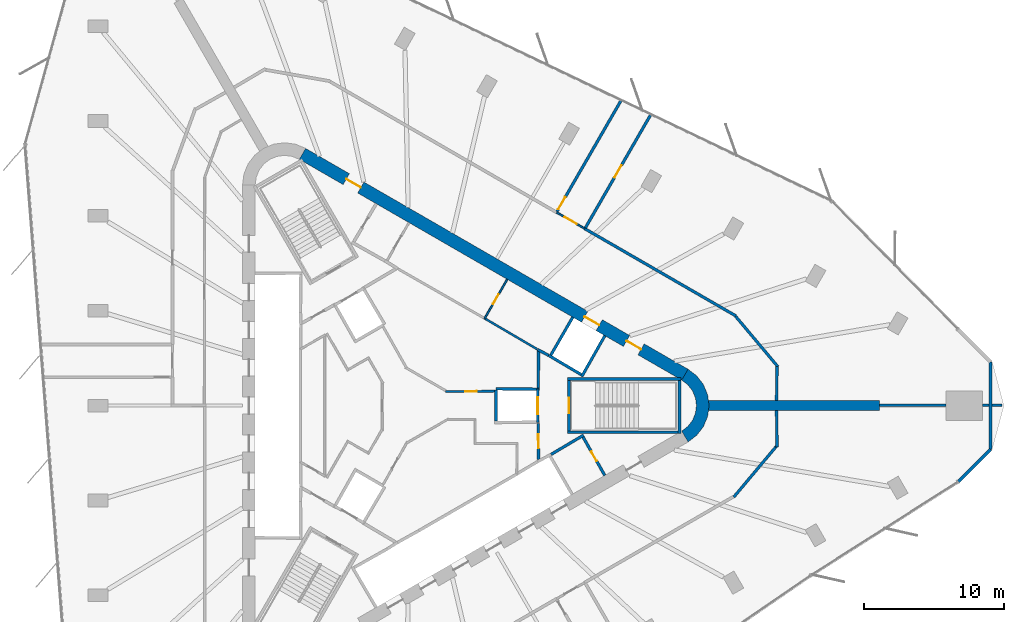
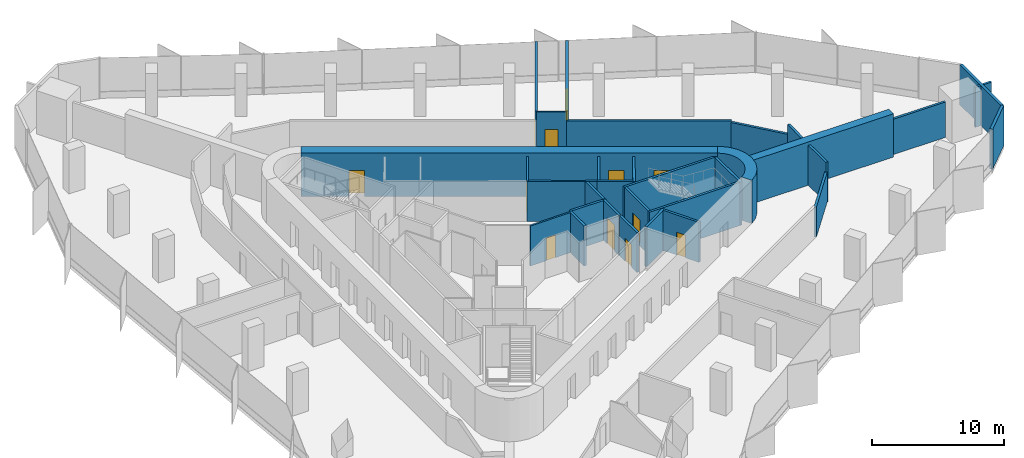
# One storey, part 11 of 13: 34 walls, 12 doors, 12 openings.
"""IFC4 building model written with IfcOpenShell, lengths in metres."""

from ifc_helpers import new_model, si_unit, direction, frame, frame_2d, origin, place, context, subcontext, project, spatial, polyline, rectangle, outline, extrude, material, layer, layer_set, type_object, element, fill, save


model = new_model("IFC4")

# Units and contexts
model_context = context("Model", 3, precision=1e-05, world=origin(), true_north=direction((0.0, 1.0)))
body_context = subcontext(model_context, "Body", "Model", "MODEL_VIEW")
ifc_project = project(units=[si_unit("LENGTHUNIT", "METRE"), si_unit("AREAUNIT", "SQUARE_METRE"), si_unit("VOLUMEUNIT", "CUBIC_METRE"), si_unit("PLANEANGLEUNIT", "RADIAN"), si_unit("MASSUNIT", "GRAM", prefix="KILO")], contexts=[model_context])

# Site, building, storey
site_placement = place(None, origin())
site = spatial("IfcSite", under=ifc_project, at=site_placement, CompositionType="ELEMENT")
building_placement = place(site_placement, origin())
building = spatial("IfcBuilding", under=site, at=building_placement, Name="Tanit Gate Tower", CompositionType="ELEMENT")
storey_placement = place(building_placement, frame((0.0, 0.0, 189.199951171875)))
storey = spatial("IfcBuildingStorey", under=building, at=storey_placement, Name="L41", CompositionType="ELEMENT", Elevation=189.199951171875)

# Wall
ifc_material_1 = material(Name="Concrete C50/60", Category="concrete")
ifc_layer_1 = layer(ifc_material_1, 0.699951171875)
ifc_layer_set_1 = layer_set([ifc_layer_1], Name="BUTTRESS FIN 700 C50/60")
wall_type_1 = type_object("IfcWallType", Name="BUTTRESS FIN 700 C50/60", PredefinedType="SHEAR", material=ifc_layer_set_1)
wall_1_placement = place(storey_placement, frame((21.14990234375, 0.0, 0.0), z_axis=(0.0, 0.0, 1.0), x_axis=(1.0, 0.0, 0.0)))
element("IfcWall", 1, at=wall_1_placement, inside=storey, type_object=wall_type_1, Name="BUTTRESS FIN", PredefinedType="SHEAR", context=body_context, shape_type="SweptSolid", body=[
    extrude(rectangle(XDim=12.2197265625, YDim=0.699951171875, at=frame_2d((6.10986328125, 0.0))), origin(), (0.0, 0.0, 1.0), 4.0),
])

# Wall, openings, doors
ifc_material_2 = material(Name="Concrete C50/60", Category="concrete")
ifc_layer_2 = layer(ifc_material_2, 0.89990234375)
ifc_layer_set_2 = layer_set([ifc_layer_2], Name="CORE WALL 900 C50/60")
wall_type_2 = type_object("IfcWallType", Name="CORE WALL 900 C50/60", PredefinedType="SHEAR", material=ifc_layer_set_2)
wall_2_placement = place(storey_placement, frame((19.47509765625, 2.20849609375, 0.0), z_axis=(0.0, 0.0, 1.0), x_axis=(-0.866028369851, 0.499994862586, 0.0)))
wall_2 = element("IfcWall", 2, at=wall_2_placement, inside=storey, type_object=wall_type_2, Name="CORE WALL", PredefinedType="SHEAR", context=body_context, shape_type="SweptSolid", body=[
    extrude(rectangle(XDim=31.523193359375, YDim=0.89990234375, at=frame_2d((15.76171875, 0.0))), origin(), (0.0, 0.0, 1.0), 4.0),
])
opening_1_placement = place(wall_2_placement, frame((7.0615234375, 0.0, 0.0)))
opening_1 = element("IfcOpeningElement", 3, at=opening_1_placement, cuts=wall_2, Name="Opening LDML8-S10", PredefinedType="OPENING", context=body_context, shape_type="SweptSolid", body=[
    extrude(rectangle(XDim=1.199951171875, YDim=2.39990234375, at=frame_2d((0.60009765625, 1.199951171875))), frame((0.0, 0.4599609375, 0.0), z_axis=(0.0, -1.0, 0.0), x_axis=(1.0, 0.0, 0.0)), (0.0, 0.0, 1.0), 0.919921875),
])
opening_2_placement = place(wall_2_placement, frame((3.611572265625, 0.0, 0.0)))
opening_2 = element("IfcOpeningElement", 4, at=opening_2_placement, cuts=wall_2, Name="Opening F12-S10-FL1", PredefinedType="OPENING", context=body_context, shape_type="SweptSolid", body=[
    extrude(rectangle(XDim=1.199951171875, YDim=2.39990234375, at=frame_2d((0.60009765625, 1.199951171875))), frame((0.0, 0.4599609375, 0.0), z_axis=(0.0, -1.0, 0.0), x_axis=(1.0, 0.0, 0.0)), (0.0, 0.0, 1.0), 0.919921875),
])
opening_3_placement = place(wall_2_placement, frame((26.711669921875, 0.0, 0.0)))
opening_3 = element("IfcOpeningElement", 5, at=opening_3_placement, cuts=wall_2, Name="Opening F12-S10-S2", PredefinedType="OPENING", context=body_context, shape_type="SweptSolid", body=[
    extrude(rectangle(XDim=1.199951171875, YDim=2.39990234375, at=frame_2d((0.60009765625, 1.199951171875))), frame((0.0, 0.4599609375, 0.0), z_axis=(0.0, -1.0, 0.0), x_axis=(1.0, 0.0, 0.0)), (0.0, 0.0, 1.0), 0.919921875),
])
ifc_material_3 = material(Name="Fire-rated steel door leaf", Category="steel")
door_type_1 = type_object("IfcDoorType", Name="INT-DOOR-FIRE-LOBBY-1200", OperationType="NOTDEFINED", PredefinedType="USERDEFINED", material=ifc_material_3)
door_1_placement = place(opening_2_placement, origin())
door_1 = element("IfcDoor", 6, at=door_1_placement, inside=storey, type_object=door_type_1, Name="Door F12-S10-FL1", ObjectType="FIRE DOOR", OperationType="SINGLE_SWING_RIGHT", OverallHeight=2.39990234375, OverallWidth=1.199951171875, PredefinedType="USERDEFINED", context=body_context, shape_type="SweptSolid", body=[
    extrude(rectangle(XDim=1.199951171875, YDim=2.39990234375, at=frame_2d((0.60009765625, 1.199951171875))), frame((0.0, 0.02490234375, 0.0), z_axis=(0.0, -1.0, 0.0), x_axis=(1.0, 0.0, 0.0)), (0.0, 0.0, 1.0), 0.050048828125),
])
fill(opening_2, door_1)
door_2_placement = place(opening_3_placement, origin())
door_2 = element("IfcDoor", 7, at=door_2_placement, inside=storey, type_object=door_type_1, Name="Door F12-S10-S2", ObjectType="FIRE DOOR", OperationType="SINGLE_SWING_RIGHT", OverallHeight=2.39990234375, OverallWidth=1.199951171875, PredefinedType="USERDEFINED", context=body_context, shape_type="SweptSolid", body=[
    extrude(rectangle(XDim=1.199951171875, YDim=2.39990234375, at=frame_2d((0.60009765625, 1.199951171875))), frame((0.0, 0.02490234375, 0.0), z_axis=(0.0, -1.0, 0.0), x_axis=(1.0, 0.0, 0.0)), (0.0, 0.0, 1.0), 0.050048828125),
])
fill(opening_3, door_2)
ifc_material_4 = material(Name="Stainless steel sliding door leaf", Category="steel")
door_type_2 = type_object("IfcDoorType", Name="INT-DOOR-LANDING-1200", OperationType="NOTDEFINED", PredefinedType="USERDEFINED", material=ifc_material_4)
door_3_placement = place(opening_1_placement, origin())
door_3 = element("IfcDoor", 8, at=door_3_placement, inside=storey, type_object=door_type_2, Name="Door LDML8-S10", ObjectType="LANDING DOOR", OperationType="SLIDING_TO_LEFT", OverallHeight=2.39990234375, OverallWidth=1.199951171875, PredefinedType="USERDEFINED", context=body_context, shape_type="SweptSolid", body=[
    extrude(rectangle(XDim=1.199951171875, YDim=2.39990234375, at=frame_2d((0.60009765625, 1.199951171875))), frame((0.0, 0.02490234375, 0.0), z_axis=(0.0, -1.0, 0.0), x_axis=(1.0, 0.0, 0.0)), (0.0, 0.0, 1.0), 0.050048828125),
])
fill(opening_1, door_3)

# Walls
wall_3_placement = place(storey_placement, origin())
element("IfcWall", 9, at=wall_3_placement, inside=storey, type_object=wall_type_2, Name="CORE WALL CORNER", PredefinedType="SHEAR", context=body_context, shape_type="SweptSolid", body=[
    extrude(outline(polyline([(19.699951171875, -2.59814453125), (20.3212890625, -2.121337890625), (20.798095703125, -1.5), (21.097900390625, -0.776611328125), (21.199951171875, 0.0), (21.097900390625, 0.776611328125), (20.798095703125, 1.5), (20.3212890625, 2.121337890625), (19.699951171875, 2.59814453125), (19.25, 1.818603515625), (19.684814453125, 1.48486328125), (20.018798828125, 1.050048828125), (20.228515625, 0.54345703125), (20.300048828125, 0.0), (20.228515625, -0.54345703125), (20.018798828125, -1.050048828125), (19.684814453125, -1.48486328125), (19.25, -1.818603515625), (19.699951171875, -2.59814453125)])), origin(), (0.0, 0.0, 1.0), 4.0),
])
ifc_material_5 = material(Name="Concrete C30/37 with bronze anodised aluminium cladding", Category="concrete")
ifc_layer_3 = layer(ifc_material_5, 0.239990234375)
ifc_layer_set_3 = layer_set([ifc_layer_3], Name="Facade wall bronze clad 240")
wall_type_3 = type_object("IfcWallType", Name="Facade wall bronze clad 240", PredefinedType="SOLIDWALL", material=ifc_layer_set_3)
wall_4_placement = place(storey_placement, frame((38.98828125, -5.428466796875, 0.0), z_axis=(0.0, 0.0, 1.0), x_axis=(0.707144274587, 0.707069285798, 0.0)))
element("IfcWall", 10, at=wall_4_placement, inside=storey, type_object=wall_type_3, Name="Bronze-clad facade wall L41 E.arc1", PredefinedType="SOLIDWALL", context=body_context, shape_type="SweptSolid", body=[
    extrude(rectangle(XDim=3.255615234375, YDim=0.239990234375, at=frame_2d((1.6279296875, 0.0))), origin(), (0.0, 0.0, 1.0), 3.699951171875),
])
wall_5_placement = place(storey_placement, frame((41.29052734375, -3.12646484375, 0.0), z_axis=(0.0, 0.0, 1.0), x_axis=(0.0, 1.0, 0.0)))
element("IfcWall", 11, at=wall_5_placement, inside=storey, type_object=wall_type_3, Name="Bronze-clad facade wall L41 E.arc2", PredefinedType="SOLIDWALL", context=body_context, shape_type="SweptSolid", body=[
    extrude(rectangle(XDim=6.2529296875, YDim=0.239990234375, at=frame_2d((3.12646484375, 0.0))), origin(), (0.0, 0.0, 1.0), 3.699951171875),
])
ifc_material_6 = material(Name="Fire-rated gypsum board partition")
ifc_layer_4 = layer(ifc_material_6, 0.199951171875)
ifc_layer_set_4 = layer_set([ifc_layer_4], Name="INT-WALL-COMPARTMENT")
wall_type_4 = type_object("IfcWallType", Name="INT-WALL-COMPARTMENT", PredefinedType="PARTITIONING", material=ifc_layer_set_4)
wall_6_placement = place(storey_placement, frame((8.97412109375, 3.998779296875, 0.0), z_axis=(0.0, 0.0, 1.0), x_axis=(0.880917147855, -0.473270513147, 0.0)))
element("IfcWall", 12, at=wall_6_placement, inside=storey, type_object=wall_type_4, Name="Wall Compartment W050", PredefinedType="PARTITIONING", context=body_context, shape_type="SweptSolid", body=[
    extrude(rectangle(XDim=0.8779296875, YDim=0.199951171875, at=frame_2d((0.43896484375, 0.0))), origin(), (0.0, 0.0, 1.0), 3.699951171875),
])
wall_7_placement = place(storey_placement, frame((12.244873046875, -2.10888671875, 0.0), z_axis=(0.0, 0.0, 1.0), x_axis=(-0.860414880418, -0.509594185166, 0.0)))
element("IfcWall", 13, at=wall_7_placement, inside=storey, type_object=wall_type_4, Name="Wall Compartment W057", PredefinedType="PARTITIONING", context=body_context, shape_type="SweptSolid", body=[
    extrude(rectangle(XDim=2.7001953125, YDim=0.199951171875, at=frame_2d((1.35009765625, 0.0))), origin(), (0.0, 0.0, 1.0), 3.699951171875),
])

# Wall, opening, door
wall_8_placement = place(storey_placement, frame((13.758056640625, -4.989501953125, 0.0), z_axis=(0.0, 0.0, 1.0), x_axis=(-0.491993409184, 0.87059892334, 0.0)))
wall_8 = element("IfcWall", 14, at=wall_8_placement, inside=storey, type_object=wall_type_4, Name="Wall Compartment W058", PredefinedType="PARTITIONING", context=body_context, shape_type="SweptSolid", body=[
    extrude(rectangle(XDim=3.150146484375, YDim=0.199951171875, at=frame_2d((1.5751953125, 0.0))), origin(), (0.0, 0.0, 1.0), 3.699951171875),
])
opening_4_placement = place(wall_8_placement, frame((1.175048828125, 0.0, 0.0)))
opening_4 = element("IfcOpeningElement", 15, at=opening_4_placement, cuts=wall_8, Name="Opening R08-S10-16", PredefinedType="OPENING", context=body_context, shape_type="SweptSolid", body=[
    extrude(rectangle(XDim=0.800048828125, YDim=2.10009765625, at=frame_2d((0.39990234375, 1.050048828125))), frame((0.0, 0.10986328125, 0.0), z_axis=(0.0, -1.0, 0.0), x_axis=(1.0, 0.0, 0.0)), (0.0, 0.0, 1.0), 0.219970703125),
])
ifc_material_7 = material(Name="Timber door leaf", Category="wood")
door_type_3 = type_object("IfcDoorType", Name="INT-DOOR-RISER-800", OperationType="NOTDEFINED", PredefinedType="USERDEFINED", material=ifc_material_7)
door_4_placement = place(opening_4_placement, origin())
door_4 = element("IfcDoor", 16, at=door_4_placement, inside=storey, type_object=door_type_3, Name="Door R08-S10-16", ObjectType="FIRE DOOR", OperationType="SINGLE_SWING_RIGHT", OverallHeight=2.10009765625, OverallWidth=0.800048828125, PredefinedType="USERDEFINED", context=body_context, shape_type="SweptSolid", body=[
    extrude(rectangle(XDim=0.800048828125, YDim=2.10009765625, at=frame_2d((0.39990234375, 1.050048828125))), frame((0.0, 0.02490234375, 0.0), z_axis=(0.0, -1.0, 0.0), x_axis=(1.0, 0.0, 0.0)), (0.0, 0.0, 1.0), 0.050048828125),
])
fill(opening_4, door_4)

# Wall
wall_9_placement = place(storey_placement, frame((9.0009765625, 1.27001953125, 0.0), z_axis=(0.0, 0.0, 1.0), x_axis=(0.01074821465, 0.999942236273, 0.0)))
element("IfcWall", 17, at=wall_9_placement, inside=storey, type_object=wall_type_4, Name="Wall Compartment W059", PredefinedType="PARTITIONING", context=body_context, shape_type="SweptSolid", body=[
    extrude(rectangle(XDim=2.725830078125, YDim=0.199951171875, at=frame_2d((1.36279296875, 0.0))), origin(), (0.0, 0.0, 1.0), 3.699951171875),
])

# Wall, opening, door
wall_10_placement = place(storey_placement, frame((9.02880859375, -3.850830078125, 0.0), z_axis=(0.0, 0.0, 1.0), x_axis=(-0.010783593937, 0.99994185536, 0.0)))
wall_10 = element("IfcWall", 18, at=wall_10_placement, inside=storey, type_object=wall_type_4, Name="Wall Compartment W060", PredefinedType="PARTITIONING", context=body_context, shape_type="SweptSolid", body=[
    extrude(rectangle(XDim=2.5810546875, YDim=0.199951171875, at=frame_2d((1.29052734375, 0.0))), origin(), (0.0, 0.0, 1.0), 3.699951171875),
])
opening_5_placement = place(wall_10_placement, frame((0.79052734375, 0.0, 0.0)))
opening_5 = element("IfcOpeningElement", 19, at=opening_5_placement, cuts=wall_10, Name="Opening F10-S10-02", PredefinedType="OPENING", context=body_context, shape_type="SweptSolid", body=[
    extrude(rectangle(XDim=1.0, YDim=2.10009765625, at=frame_2d((0.5, 1.050048828125))), frame((0.0, 0.10986328125, 0.0), z_axis=(0.0, -1.0, 0.0), x_axis=(1.0, 0.0, 0.0)), (0.0, 0.0, 1.0), 0.219970703125),
])
ifc_material_8 = material(Name="Fire-rated steel door leaf", Category="steel")
door_type_4 = type_object("IfcDoorType", Name="INT-DOOR-FIRE-1000", OperationType="NOTDEFINED", PredefinedType="USERDEFINED", material=ifc_material_8)
door_5_placement = place(opening_5_placement, origin())
door_5 = element("IfcDoor", 20, at=door_5_placement, inside=storey, type_object=door_type_4, Name="Door F10-S10-02", ObjectType="FIRE DOOR", OperationType="SINGLE_SWING_LEFT", OverallHeight=2.10009765625, OverallWidth=1.0, PredefinedType="USERDEFINED", context=body_context, shape_type="SweptSolid", body=[
    extrude(rectangle(XDim=1.0, YDim=2.10009765625, at=frame_2d((0.5, 1.050048828125))), frame((0.0, 0.02490234375, 0.0), z_axis=(0.0, -1.0, 0.0), x_axis=(1.0, 0.0, 0.0)), (0.0, 0.0, 1.0), 0.050048828125),
])
fill(opening_5, door_5)

# Walls
wall_11_placement = place(storey_placement, frame((23.118896484375, 6.397705078125, 0.0), z_axis=(0.0, 0.0, 1.0), x_axis=(-0.866027821991, 0.499995811521, 0.0)))
element("IfcWall", 21, at=wall_11_placement, inside=storey, type_object=wall_type_4, Name="Wall Compartment W100", PredefinedType="PARTITIONING", context=body_context, shape_type="SweptSolid", body=[
    extrude(rectangle(XDim=12.47265625, YDim=0.199951171875, at=frame_2d((6.236328125, 0.0))), origin(), (0.0, 0.0, 1.0), 2.880126953125),
])
wall_12_placement = place(storey_placement, frame((26.12109375, 2.766357421875, 0.0), z_axis=(0.0, 0.0, 1.0), x_axis=(-0.642778291452, 0.766052261949, 0.0)))
element("IfcWall", 22, at=wall_12_placement, inside=storey, type_object=wall_type_4, Name="Wall Compartment W101", PredefinedType="PARTITIONING", context=body_context, shape_type="SweptSolid", body=[
    extrude(rectangle(XDim=4.70556640625, YDim=0.199951171875, at=frame_2d((2.352783203125, 0.0))), origin(), (0.0, 0.0, 1.0), 2.780029296875),
])
wall_13_placement = place(storey_placement, frame((26.019775390625, 0.35009765625, 0.0), z_axis=(0.0, 0.0, 1.0), x_axis=(0.010532007244, 0.999944536874, 0.0)))
element("IfcWall", 23, at=wall_13_placement, inside=storey, type_object=wall_type_4, Name="Wall Compartment W102", PredefinedType="PARTITIONING", context=body_context, shape_type="SweptSolid", body=[
    extrude(rectangle(XDim=2.457275390625, YDim=0.199951171875, at=frame_2d((1.228515625, 0.0))), origin(), (0.0, 0.0, 1.0), 3.699951171875),
])
wall_14_placement = place(storey_placement, frame((26.04736328125, -2.972412109375, 0.0), z_axis=(0.0, 0.0, 1.0), x_axis=(-0.010519853563, 0.99994466481, 0.0)))
element("IfcWall", 24, at=wall_14_placement, inside=storey, type_object=wall_type_4, Name="Wall Compartment W105", PredefinedType="PARTITIONING", context=body_context, shape_type="SweptSolid", body=[
    extrude(rectangle(XDim=2.62255859375, YDim=0.199951171875, at=frame_2d((1.311279296875, 0.0))), origin(), (0.0, 0.0, 1.0), 3.699951171875),
])
wall_15_placement = place(storey_placement, frame((22.968017578125, -6.5244140625, 0.0), z_axis=(0.0, 0.0, 1.0), x_axis=(0.642764400317, 0.766063917493, 0.0)))
element("IfcWall", 25, at=wall_15_placement, inside=storey, type_object=wall_type_4, Name="Wall Compartment W106", PredefinedType="PARTITIONING", context=body_context, shape_type="SweptSolid", body=[
    extrude(rectangle(XDim=4.740234375, YDim=0.199951171875, at=frame_2d((2.3701171875, 0.0))), origin(), (0.0, 0.0, 1.0), 2.780029296875),
])

# Wall, opening, door
wall_16_placement = place(storey_placement, frame((14.923828125, 21.788818359375, 0.0), z_axis=(0.0, 0.0, 1.0), x_axis=(-0.499989745068, -0.866031324391, 0.0)))
wall_16 = element("IfcWall", 26, at=wall_16_placement, inside=storey, type_object=wall_type_4, Name="Wall Compartment W119", PredefinedType="PARTITIONING", context=body_context, shape_type="SweptSolid", body=[
    extrude(rectangle(XDim=9.171630859375, YDim=0.199951171875, at=frame_2d((4.5859375, 0.0))), origin(), (0.0, 0.0, 1.0), 3.699951171875),
])
opening_6_placement = place(wall_16_placement, frame((7.9716796875, 0.0, 0.0)))
opening_6 = element("IfcOpeningElement", 27, at=opening_6_placement, cuts=wall_16, Name="Opening F10-S10-27", PredefinedType="OPENING", context=body_context, shape_type="SweptSolid", body=[
    extrude(rectangle(XDim=1.0, YDim=2.10009765625, at=frame_2d((0.5, 1.050048828125))), frame((0.0, 0.10986328125, 0.0), z_axis=(0.0, -1.0, 0.0), x_axis=(1.0, 0.0, 0.0)), (0.0, 0.0, 1.0), 0.219970703125),
])
door_6_placement = place(opening_6_placement, origin())
door_6 = element("IfcDoor", 28, at=door_6_placement, inside=storey, type_object=door_type_4, Name="Door F10-S10-27", ObjectType="FIRE DOOR", OperationType="SINGLE_SWING_LEFT", OverallHeight=2.10009765625, OverallWidth=1.0, PredefinedType="USERDEFINED", context=body_context, shape_type="SweptSolid", body=[
    extrude(rectangle(XDim=1.0, YDim=2.10009765625, at=frame_2d((0.5, 1.050048828125))), frame((0.0, 0.02490234375, 0.0), z_axis=(0.0, -1.0, 0.0), x_axis=(1.0, 0.0, 0.0)), (0.0, 0.0, 1.0), 0.050048828125),
])
fill(opening_6, door_6)

wall_17_placement = place(storey_placement, frame((12.364501953125, 12.676025390625, 0.0), z_axis=(0.0, 0.0, 1.0), x_axis=(0.499998839552, 0.866026073768, 0.0)))
wall_17 = element("IfcWall", 29, at=wall_17_placement, inside=storey, type_object=wall_type_4, Name="Wall Compartment W120", PredefinedType="PARTITIONING", context=body_context, shape_type="SweptSolid", body=[
    extrude(rectangle(XDim=9.35400390625, YDim=0.199951171875, at=frame_2d((4.677001953125, 0.0))), origin(), (0.0, 0.0, 1.0), 3.699951171875),
])
opening_7_placement = place(wall_17_placement, frame((4.177001953125, 0.0, 0.0)))
opening_7 = element("IfcOpeningElement", 30, at=opening_7_placement, cuts=wall_17, Name="Opening F10-S10-28", PredefinedType="OPENING", context=body_context, shape_type="SweptSolid", body=[
    extrude(rectangle(XDim=1.0, YDim=2.10009765625, at=frame_2d((0.5, 1.050048828125))), frame((0.0, 0.10986328125, 0.0), z_axis=(0.0, -1.0, 0.0), x_axis=(1.0, 0.0, 0.0)), (0.0, 0.0, 1.0), 0.219970703125),
])
door_7_placement = place(opening_7_placement, origin())
door_7 = element("IfcDoor", 31, at=door_7_placement, inside=storey, type_object=door_type_4, Name="Door F10-S10-28", ObjectType="FIRE DOOR", OperationType="SINGLE_SWING_LEFT", OverallHeight=2.10009765625, OverallWidth=1.0, PredefinedType="USERDEFINED", context=body_context, shape_type="SweptSolid", body=[
    extrude(rectangle(XDim=1.0, YDim=2.10009765625, at=frame_2d((0.5, 1.050048828125))), frame((0.0, 0.02490234375, 0.0), z_axis=(0.0, -1.0, 0.0), x_axis=(1.0, 0.0, 0.0)), (0.0, 0.0, 1.0), 0.050048828125),
])
fill(opening_7, door_7)

# Walls
wall_18_placement = place(storey_placement, frame((33.36962890625, 0.030029296875, 0.0), z_axis=(0.0, 0.0, 1.0), x_axis=(1.0, 0.0, 0.0)))
element("IfcWall", 32, at=wall_18_placement, inside=storey, type_object=wall_type_4, Name="Wall Compartment W121", PredefinedType="PARTITIONING", context=body_context, shape_type="SweptSolid", body=[
    extrude(rectangle(XDim=4.732666015625, YDim=0.199951171875, at=frame_2d((2.3662109375, 0.0))), origin(), (0.0, 0.0, 1.0), 3.27001953125),
])
wall_19_placement = place(storey_placement, frame((40.702392578125, 0.030029296875, 0.0), z_axis=(0.0, 0.0, 1.0), x_axis=(1.0, 0.0, 0.0)))
element("IfcWall", 33, at=wall_19_placement, inside=storey, type_object=wall_type_4, Name="Wall Compartment W122", PredefinedType="PARTITIONING", context=body_context, shape_type="SweptSolid", body=[
    extrude(rectangle(XDim=0.468017578125, YDim=0.199951171875, at=frame_2d((0.23388671875, 0.0))), origin(), (0.0, 0.0, 1.0), 3.699951171875),
])
wall_20_placement = place(storey_placement, frame((41.410400390625, 0.030029296875, 0.0), z_axis=(0.0, 0.0, 1.0), x_axis=(1.0, 0.0, 0.0)))
element("IfcWall", 34, at=wall_20_placement, inside=storey, type_object=wall_type_4, Name="Wall Compartment W122x1", PredefinedType="PARTITIONING", context=body_context, shape_type="SweptSolid", body=[
    extrude(rectangle(XDim=0.709716796875, YDim=0.199951171875, at=frame_2d((0.35498046875, 0.0))), origin(), (0.0, 0.0, 1.0), 3.699951171875),
])

# Wall, opening, door
ifc_material_9 = material(Name="Gypsum board partition")
ifc_layer_5 = layer(ifc_material_9, 0.1201171875)
ifc_layer_set_5 = layer_set([ifc_layer_5], Name="INT-WALL-PARTITION")
wall_type_5 = type_object("IfcWallType", Name="INT-WALL-PARTITION", PredefinedType="PARTITIONING", material=ifc_layer_set_5)
wall_21_placement = place(storey_placement, frame((5.170166015625, 6.19482421875, 0.0), z_axis=(0.0, 0.0, 1.0), x_axis=(0.499984717929, 0.866034226713, 0.0)))
wall_21 = element("IfcWall", 35, at=wall_21_placement, inside=storey, type_object=wall_type_5, Name="Wall Partition W049", PredefinedType="PARTITIONING", context=body_context, shape_type="SweptSolid", body=[
    extrude(rectangle(XDim=3.25, YDim=0.1201171875, at=frame_2d((1.625, 0.0))), origin(), (0.0, 0.0, 1.0), 3.699951171875),
])
opening_8_placement = place(wall_21_placement, frame((1.22509765625, 0.0, 0.0)))
opening_8 = element("IfcOpeningElement", 36, at=opening_8_placement, cuts=wall_21, Name="Opening R08-S10-14", PredefinedType="OPENING", context=body_context, shape_type="SweptSolid", body=[
    extrude(rectangle(XDim=0.800048828125, YDim=2.10009765625, at=frame_2d((0.39990234375, 1.050048828125))), frame((0.0, 0.070068359375, 0.0), z_axis=(0.0, -1.0, 0.0), x_axis=(1.0, 0.0, 0.0)), (0.0, 0.0, 1.0), 0.14013671875),
])
door_8_placement = place(opening_8_placement, origin())
door_8 = element("IfcDoor", 37, at=door_8_placement, inside=storey, type_object=door_type_3, Name="Door R08-S10-14", ObjectType="FIRE DOOR", OperationType="SINGLE_SWING_RIGHT", OverallHeight=2.10009765625, OverallWidth=0.800048828125, PredefinedType="USERDEFINED", context=body_context, shape_type="SweptSolid", body=[
    extrude(rectangle(XDim=0.800048828125, YDim=2.10009765625, at=frame_2d((0.39990234375, 1.050048828125))), frame((0.0, 0.02490234375, 0.0), z_axis=(0.0, -1.0, 0.0), x_axis=(1.0, 0.0, 0.0)), (0.0, 0.0, 1.0), 0.050048828125),
])
fill(opening_8, door_8)

wall_22_placement = place(storey_placement, frame((10.325439453125, 13.783935546875, 0.0), z_axis=(0.0, 0.0, 1.0), x_axis=(0.86602648383, -0.499998129301, 0.0)))
wall_22 = element("IfcWall", 38, at=wall_22_placement, inside=storey, type_object=wall_type_5, Name="Wall Partition W096", PredefinedType="PARTITIONING", context=body_context, shape_type="SweptSolid", body=[
    extrude(rectangle(XDim=2.2998046875, YDim=0.1201171875, at=frame_2d((1.14990234375, 0.0))), origin(), (0.0, 0.0, 1.0), 3.699951171875),
])
opening_9_placement = place(wall_22_placement, frame((0.64990234375, 0.0, 0.0)))
opening_9 = element("IfcOpeningElement", 39, at=opening_9_placement, cuts=wall_22, Name="Opening D10-S10-19", PredefinedType="OPENING", context=body_context, shape_type="SweptSolid", body=[
    extrude(rectangle(XDim=1.0, YDim=2.10009765625, at=frame_2d((0.5, 1.050048828125))), frame((0.0, 0.070068359375, 0.0), z_axis=(0.0, -1.0, 0.0), x_axis=(1.0, 0.0, 0.0)), (0.0, 0.0, 1.0), 0.14013671875),
])
ifc_material_10 = material(Name="Timber door leaf", Category="wood")
door_type_5 = type_object("IfcDoorType", Name="INT-DOOR-SINGLE-1000", OperationType="NOTDEFINED", PredefinedType="NOTDEFINED", material=ifc_material_10)
door_9_placement = place(opening_9_placement, origin())
door_9 = element("IfcDoor", 40, at=door_9_placement, inside=storey, type_object=door_type_5, Name="Door D10-S10-19", OperationType="SINGLE_SWING_RIGHT", OverallHeight=2.10009765625, OverallWidth=1.0, PredefinedType="NOTDEFINED", context=body_context, shape_type="SweptSolid", body=[
    extrude(rectangle(XDim=1.0, YDim=2.10009765625, at=frame_2d((0.5, 1.050048828125))), frame((0.0, 0.02490234375, 0.0), z_axis=(0.0, -1.0, 0.0), x_axis=(1.0, 0.0, 0.0)), (0.0, 0.0, 1.0), 0.050048828125),
])
fill(opening_9, door_9)

# Wall
ifc_material_11 = material(Name="Fire-rated gypsum board partition")
ifc_layer_6 = layer(ifc_material_11, 0.14990234375)
ifc_layer_set_6 = layer_set([ifc_layer_6], Name="INT-WALL-RISER")
wall_type_6 = type_object("IfcWallType", Name="INT-WALL-RISER", PredefinedType="PLUMBINGWALL", material=ifc_layer_set_6)
wall_23_placement = place(storey_placement, frame((8.9306640625, 4.024658203125, 0.0), z_axis=(0.0, 0.0, 1.0), x_axis=(-0.862666884027, 0.505772525157, 0.0)))
element("IfcWall", 41, at=wall_23_placement, inside=storey, type_object=wall_type_6, Name="Wall Riser W051", PredefinedType="PLUMBINGWALL", context=body_context, shape_type="SweptSolid", body=[
    extrude(rectangle(XDim=4.371826171875, YDim=0.14990234375, at=frame_2d((2.18603515625, 0.0))), origin(), (0.0, 0.0, 1.0), 3.699951171875),
])

# Wall, opening, door
wall_24_placement = place(storey_placement, frame((2.384033203125, 0.9990234375, 0.0), z_axis=(0.0, 0.0, 1.0), x_axis=(0.999964703434, 0.008401897723, 0.0)))
wall_24 = element("IfcWall", 42, at=wall_24_placement, inside=storey, type_object=wall_type_6, Name="Wall Riser W065", PredefinedType="PLUMBINGWALL", context=body_context, shape_type="SweptSolid", body=[
    extrude(rectangle(XDim=3.51611328125, YDim=0.14990234375, at=frame_2d((1.758056640625, 0.0))), origin(), (0.0, 0.0, 1.0), 3.699951171875),
])
opening_10_placement = place(wall_24_placement, frame((1.421630859375, 0.0, 0.0)))
opening_10 = element("IfcOpeningElement", 43, at=opening_10_placement, cuts=wall_24, Name="Opening R08-S10-10", PredefinedType="OPENING", context=body_context, shape_type="SweptSolid", body=[
    extrude(rectangle(XDim=0.800048828125, YDim=2.10009765625, at=frame_2d((0.39990234375, 1.050048828125))), frame((0.0, 0.0849609375, 0.0), z_axis=(0.0, -1.0, 0.0), x_axis=(1.0, 0.0, 0.0)), (0.0, 0.0, 1.0), 0.169921875),
])
door_10_placement = place(opening_10_placement, origin())
door_10 = element("IfcDoor", 44, at=door_10_placement, inside=storey, type_object=door_type_3, Name="Door R08-S10-10", ObjectType="FIRE DOOR", OperationType="SINGLE_SWING_RIGHT", OverallHeight=2.10009765625, OverallWidth=0.800048828125, PredefinedType="USERDEFINED", context=body_context, shape_type="SweptSolid", body=[
    extrude(rectangle(XDim=0.800048828125, YDim=2.10009765625, at=frame_2d((0.39990234375, 1.050048828125))), frame((0.0, 0.02490234375, 0.0), z_axis=(0.0, -1.0, 0.0), x_axis=(1.0, 0.0, 0.0)), (0.0, 0.0, 1.0), 0.050048828125),
])
fill(opening_10, door_10)

# Walls
ifc_material_12 = material(Name="Gypsum shaft wall system")
ifc_layer_7 = layer(ifc_material_12, 0.199951171875)
ifc_layer_set_7 = layer_set([ifc_layer_7], Name="INT-WALL-SHAFT")
wall_type_7 = type_object("IfcWallType", Name="INT-WALL-SHAFT", PredefinedType="PLUMBINGWALL", material=ifc_layer_set_7)
wall_25_placement = place(storey_placement, frame((9.8466796875, 3.494873046875, 0.0), z_axis=(0.0, 0.0, 1.0), x_axis=(0.499984717929, 0.866034226713, 0.0)))
element("IfcWall", 45, at=wall_25_placement, inside=storey, type_object=wall_type_7, Name="Wall Shaft W012", PredefinedType="PLUMBINGWALL", context=body_context, shape_type="SweptSolid", body=[
    extrude(rectangle(XDim=3.25, YDim=0.199951171875, at=frame_2d((1.625, 0.0))), origin(), (0.0, 0.0, 1.0), 3.699951171875),
])
wall_26_placement = place(storey_placement, frame((12.10986328125, 2.07275390625, 0.0), z_axis=(0.0, 0.0, 1.0), x_axis=(0.49196600604, 0.870614408852, 0.0)))
element("IfcWall", 46, at=wall_26_placement, inside=storey, type_object=wall_type_7, Name="Wall Shaft W013", PredefinedType="PLUMBINGWALL", context=body_context, shape_type="SweptSolid", body=[
    extrude(rectangle(XDim=3.35009765625, YDim=0.199951171875, at=frame_2d((1.675048828125, 0.0))), origin(), (0.0, 0.0, 1.0), 3.699951171875),
])
wall_27_placement = place(storey_placement, frame((12.072998046875, 2.2109375, 0.0), z_axis=(0.0, 0.0, 1.0), x_axis=(-0.860414880418, 0.509594185166, 0.0)))
element("IfcWall", 47, at=wall_27_placement, inside=storey, type_object=wall_type_7, Name="Wall Shaft W014", PredefinedType="PLUMBINGWALL", context=body_context, shape_type="SweptSolid", body=[
    extrude(rectangle(XDim=2.7001953125, YDim=0.199951171875, at=frame_2d((1.35009765625, 0.0))), origin(), (0.0, 0.0, 1.0), 3.699951171875),
])

# Wall, opening, door
wall_28_placement = place(storey_placement, frame((8.969970703125, 1.199951171875, 0.0), z_axis=(0.0, 0.0, 1.0), x_axis=(0.0, -1.0, 0.0)))
wall_28 = element("IfcWall", 48, at=wall_28_placement, inside=storey, type_object=wall_type_7, Name="Wall Shaft W029", PredefinedType="PLUMBINGWALL", context=body_context, shape_type="SweptSolid", body=[
    extrude(rectangle(XDim=2.39990234375, YDim=0.199951171875, at=frame_2d((1.199951171875, 0.0))), origin(), (0.0, 0.0, 1.0), 3.699951171875),
])
opening_11_placement = place(wall_28_placement, frame((0.60009765625, 0.0, 0.0)))
opening_11 = element("IfcOpeningElement", 49, at=opening_11_placement, cuts=wall_28, Name="Opening LDFL1-L41", PredefinedType="OPENING", context=body_context, shape_type="SweptSolid", body=[
    extrude(rectangle(XDim=1.199951171875, YDim=2.39990234375, at=frame_2d((0.60009765625, 1.199951171875))), frame((0.0, 0.10986328125, 0.0), z_axis=(0.0, -1.0, 0.0), x_axis=(1.0, 0.0, 0.0)), (0.0, 0.0, 1.0), 0.219970703125),
])
door_11_placement = place(opening_11_placement, origin())
door_11 = element("IfcDoor", 50, at=door_11_placement, inside=storey, type_object=door_type_2, Name="Door LDFL1-L41", ObjectType="LANDING DOOR", OperationType="SLIDING_TO_LEFT", OverallHeight=2.39990234375, OverallWidth=1.199951171875, PredefinedType="USERDEFINED", context=body_context, shape_type="SweptSolid", body=[
    extrude(rectangle(XDim=1.199951171875, YDim=2.39990234375, at=frame_2d((0.60009765625, 1.199951171875))), frame((0.0, 0.02490234375, 0.0), z_axis=(0.0, -1.0, 0.0), x_axis=(1.0, 0.0, 0.0)), (0.0, 0.0, 1.0), 0.050048828125),
])
fill(opening_11, door_11)

# Walls
wall_29_placement = place(storey_placement, frame((6.0, 1.199951171875, 0.0), z_axis=(0.0, 0.0, 1.0), x_axis=(0.999949988, -0.010001074852, 0.0)))
element("IfcWall", 51, at=wall_29_placement, inside=storey, type_object=wall_type_7, Name="Wall Shaft W030", PredefinedType="PLUMBINGWALL", context=body_context, shape_type="SweptSolid", body=[
    extrude(rectangle(XDim=3.100341796875, YDim=0.199951171875, at=frame_2d((1.55029296875, 0.0))), origin(), (0.0, 0.0, 1.0), 3.699951171875),
])
wall_30_placement = place(storey_placement, frame((6.0, -1.10009765625, 0.0), z_axis=(0.0, 0.0, 1.0), x_axis=(0.0, 1.0, 0.0)))
element("IfcWall", 52, at=wall_30_placement, inside=storey, type_object=wall_type_7, Name="Wall Shaft W032", PredefinedType="PLUMBINGWALL", context=body_context, shape_type="SweptSolid", body=[
    extrude(rectangle(XDim=2.20458984375, YDim=0.199951171875, at=frame_2d((1.102294921875, 0.0))), origin(), (0.0, 0.0, 1.0), 3.699951171875),
])
ifc_material_13 = material(Name="Concrete C40/50", Category="concrete")
ifc_layer_8 = layer(ifc_material_13, 0.199951171875)
ifc_layer_set_8 = layer_set([ifc_layer_8], Name="INT-WALL-STAIR")
wall_type_8 = type_object("IfcWallType", Name="INT-WALL-STAIR", PredefinedType="SHEAR", material=ifc_layer_set_8)
wall_31_placement = place(storey_placement, frame((19.199951171875, 1.89990234375, -0.300048828125), z_axis=(0.0, 0.0, 1.0), x_axis=(-1.0, 0.0, 0.0)))
element("IfcWall", 53, at=wall_31_placement, inside=storey, type_object=wall_type_8, Name="Wall Stair W025", PredefinedType="SHEAR", context=body_context, shape_type="SweptSolid", body=[
    extrude(rectangle(XDim=8.099853515625, YDim=0.199951171875, at=frame_2d((4.0498046875, 0.0))), origin(), (0.0, 0.0, 1.0), 4.0),
])
wall_32_placement = place(storey_placement, frame((19.10009765625, -2.0, -0.300048828125), z_axis=(0.0, 0.0, 1.0), x_axis=(0.0, 1.0, 0.0)))
element("IfcWall", 54, at=wall_32_placement, inside=storey, type_object=wall_type_8, Name="Wall Stair W026", PredefinedType="SHEAR", context=body_context, shape_type="SweptSolid", body=[
    extrude(rectangle(XDim=3.800048828125, YDim=0.199951171875, at=frame_2d((1.89990234375, 0.0))), origin(), (0.0, 0.0, 1.0), 4.0),
])
wall_33_placement = place(storey_placement, frame((11.10009765625, -1.89990234375, -0.300048828125), z_axis=(0.0, 0.0, 1.0), x_axis=(1.0, 0.0, 0.0)))
element("IfcWall", 55, at=wall_33_placement, inside=storey, type_object=wall_type_8, Name="Wall Stair W027", PredefinedType="SHEAR", context=body_context, shape_type="SweptSolid", body=[
    extrude(rectangle(XDim=7.89990234375, YDim=0.199951171875, at=frame_2d((3.949951171875, 0.0))), origin(), (0.0, 0.0, 1.0), 4.0),
])

# Wall, opening, door
wall_34_placement = place(storey_placement, frame((11.199951171875, -1.800048828125, -0.300048828125), z_axis=(0.0, 0.0, 1.0), x_axis=(0.0, 1.0, 0.0)))
wall_34 = element("IfcWall", 56, at=wall_34_placement, inside=storey, type_object=wall_type_8, Name="Wall Stair W028", PredefinedType="SHEAR", context=body_context, shape_type="SweptSolid", body=[
    extrude(rectangle(XDim=3.60009765625, YDim=0.199951171875, at=frame_2d((1.800048828125, 0.0))), origin(), (0.0, 0.0, 1.0), 4.0),
])
opening_12_placement = place(wall_34_placement, frame((1.25, 0.0, 0.300048828125)))
opening_12 = element("IfcOpeningElement", 57, at=opening_12_placement, cuts=wall_34, Name="Opening S11-S10-01", PredefinedType="OPENING", context=body_context, shape_type="SweptSolid", body=[
    extrude(rectangle(XDim=1.10009765625, YDim=2.10009765625, at=frame_2d((0.550048828125, 1.050048828125))), frame((0.0, 0.10986328125, 0.0), z_axis=(0.0, -1.0, 0.0), x_axis=(1.0, 0.0, 0.0)), (0.0, 0.0, 1.0), 0.219970703125),
])
ifc_material_14 = material(Name="Timber door leaf", Category="wood")
door_type_6 = type_object("IfcDoorType", Name="INT-DOOR-STAIR-1100", OperationType="NOTDEFINED", PredefinedType="USERDEFINED", material=ifc_material_14)
door_12_placement = place(opening_12_placement, origin())
door_12 = element("IfcDoor", 58, at=door_12_placement, inside=storey, type_object=door_type_6, Name="Door S11-S10-01", ObjectType="FIRE DOOR", OperationType="SINGLE_SWING_RIGHT", OverallHeight=2.10009765625, OverallWidth=1.10009765625, PredefinedType="USERDEFINED", context=body_context, shape_type="SweptSolid", body=[
    extrude(rectangle(XDim=1.10009765625, YDim=2.10009765625, at=frame_2d((0.550048828125, 1.050048828125))), frame((0.0, 0.02490234375, 0.0), z_axis=(0.0, -1.0, 0.0), x_axis=(1.0, 0.0, 0.0)), (0.0, 0.0, 1.0), 0.050048828125),
])
fill(opening_12, door_12)

save(model, "model.ifc")
